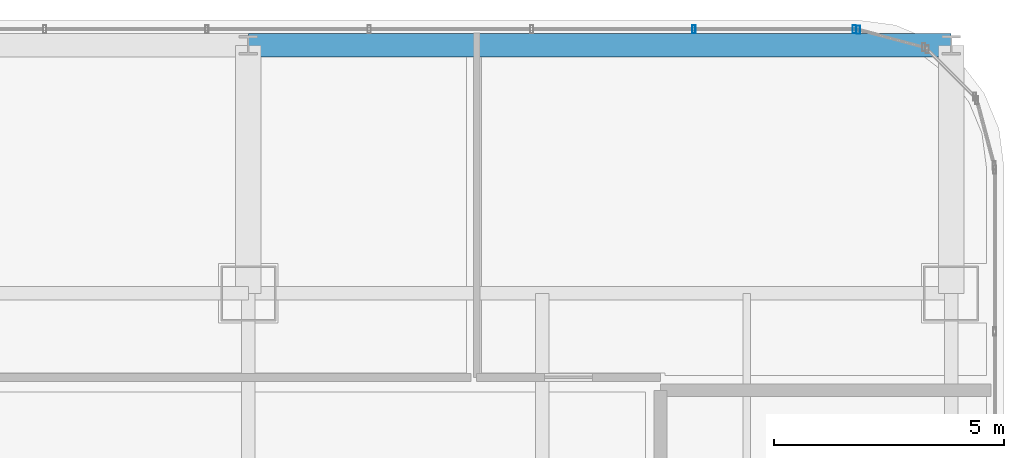
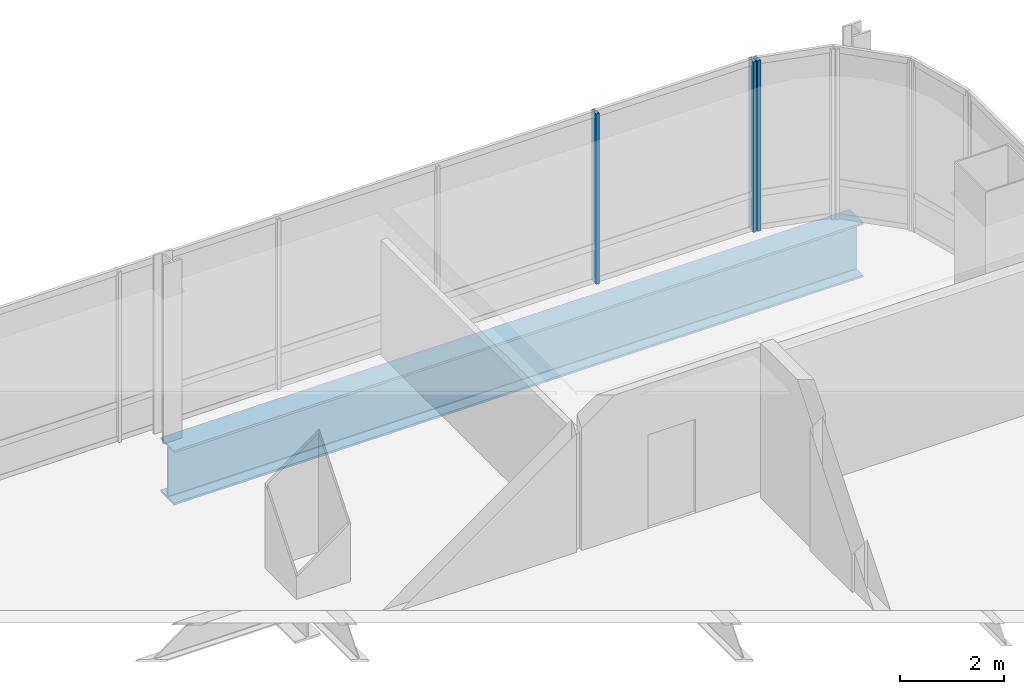
# One storey, part 30 of 41: 3 members, 1 beam, 2 elements without a shape of their own.
"""IFC4 building model written with IfcOpenShell, lengths in metres."""

from ifc_helpers import new_model, si_unit, direction, frame, origin, origin_2d, place, context, subcontext, project, spatial, hollow_rectangle, i_section, extrude, material, material_profile, profile_set, type_object, element, aggregate, save


model = new_model("IFC4")

# Units and contexts
model_context = context("Model", 3, precision=1e-05, world=origin(), true_north=direction((0.0, 1.0)))
body_context = subcontext(model_context, "Body", "Model", "MODEL_VIEW")
ifc_project = project(units=[si_unit("LENGTHUNIT", "METRE"), si_unit("AREAUNIT", "SQUARE_METRE"), si_unit("VOLUMEUNIT", "CUBIC_METRE"), si_unit("PLANEANGLEUNIT", "RADIAN"), si_unit("MASSUNIT", "GRAM", prefix="KILO")], contexts=[model_context])

# Site, building, storey
site_placement = place(None, origin())
site = spatial("IfcSite", under=ifc_project, at=site_placement, CompositionType="ELEMENT")
building_placement = place(site_placement, origin())
building = spatial("IfcBuilding", under=site, at=building_placement, Name="Punatoya Terracotta Tower", CompositionType="ELEMENT")
storey_placement = place(building_placement, frame((0.0, 0.0, 292.199951171875)))
storey = spatial("IfcBuildingStorey", under=building, at=storey_placement, Name="L69", CompositionType="ELEMENT", Elevation=292.199951171875)

# Beam
ifc_material_1 = material(Name="Steel S460", Category="steel")
ifc_material_profile_1 = material_profile(ifc_material_1, i_section(OverallWidth=0.52001953125, OverallDepth=1.280029296875, WebThickness=0.031982421875, FlangeThickness=0.050048828125, FilletRadius=0.01806640625, at=origin_2d()))
ifc_profile_set_1 = profile_set([ifc_material_profile_1], Name="Steel S460")
beam_type = type_object("IfcBeamType", Name="BM-TG-NCK", PredefinedType="BEAM", material=ifc_profile_set_1)
beam_placement = place(storey_placement, frame((3.800048828125, 22.89990234375, -0.83984375), z_axis=(1.0, 0.0, 0.0), x_axis=(0.0, 1.0, 0.0)))
element("IfcBeam", 1, at=beam_placement, inside=storey, type_object=beam_type, Name="BM-L69-PER-N3", PredefinedType="BEAM", context=body_context, shape_type="SweptSolid", body=[
    extrude(i_section(OverallWidth=0.52001953125, OverallDepth=1.280029296875, WebThickness=0.031982421875, FlangeThickness=0.050048828125, FilletRadius=0.01806640625, at=origin_2d()), origin(), (0.0, 0.0, 1.0), 15.300048828125),
])

# Curtain wall, member
ifc_material_2 = material(Name="Aluminium 6063-T6 + Double Low-E Glass", Category="aluminium")
curtain_wall_type = type_object("IfcCurtainWallType", Name="CW-M3", PredefinedType="NOTDEFINED", material=ifc_material_2)
curtain_wall_1_placement = place(storey_placement, origin())
curtain_wall_1 = element("IfcCurtainWall", 2, at=curtain_wall_1_placement, inside=storey, type_object=curtain_wall_type, Name="L69 Curtain Wall CW-L69-CRN08", PredefinedType="NOTDEFINED")
ifc_material_3 = material(Name="Aluminium 6063-T6", Category="aluminium")
ifc_material_profile_2 = material_profile(ifc_material_3, hollow_rectangle(XDim=0.070068359375, YDim=0.179931640625, WallThickness=0.00390625, at=origin_2d()))
ifc_profile_set_2 = profile_set([ifc_material_profile_2], Name="Aluminium 6063-T6")
member_type = type_object("IfcMemberType", Name="CW-MUL-M3", PredefinedType="MULLION", material=ifc_profile_set_2)
member_1_placement = place(storey_placement, frame((17.080322265625, 23.23828125, 0.0), z_axis=(0.0, 0.0, 1.0), x_axis=(1.0, 0.0, 0.0)))
member_1 = element("IfcMember", 3, at=member_1_placement, type_object=member_type, Name="CW-L69-CRN08 Mullion 01", PredefinedType="MULLION", context=body_context, shape_type="SweptSolid", body=[
    extrude(hollow_rectangle(XDim=0.070068359375, YDim=0.179931640625, WallThickness=0.00390625, at=origin_2d()), origin(), (0.0, 0.0, 1.0), 4.0),
])
aggregate(curtain_wall_1, [member_1])

# Curtain wall, members
curtain_wall_2_placement = place(storey_placement, origin())
curtain_wall_2 = element("IfcCurtainWall", 4, at=curtain_wall_2_placement, inside=storey, type_object=curtain_wall_type, Name="L69 Curtain Wall CW-L69-N09-1", PredefinedType="NOTDEFINED")
member_2_placement = place(storey_placement, frame((16.991943359375, 23.25, 0.0), z_axis=(0.0, 0.0, 1.0), x_axis=(1.0, 0.0, 0.0)))
member_2 = element("IfcMember", 5, at=member_2_placement, type_object=member_type, Name="CW-L69-N09-1 Mullion 00", PredefinedType="MULLION", context=body_context, shape_type="SweptSolid", body=[
    extrude(hollow_rectangle(XDim=0.070068359375, YDim=0.179931640625, WallThickness=0.00390625, at=origin_2d()), origin(), (0.0, 0.0, 1.0), 4.0),
])
member_3_placement = place(storey_placement, frame((13.5029296875, 23.25, 0.0), z_axis=(0.0, 0.0, 1.0), x_axis=(1.0, 0.0, 0.0)))
member_3 = element("IfcMember", 6, at=member_3_placement, type_object=member_type, Name="CW-L69-N09-1 Mullion 01", PredefinedType="MULLION", context=body_context, shape_type="SweptSolid", body=[
    extrude(hollow_rectangle(XDim=0.070068359375, YDim=0.179931640625, WallThickness=0.00390625, at=origin_2d()), origin(), (0.0, 0.0, 1.0), 4.0),
])
aggregate(curtain_wall_2, [member_2, member_3])

save(model, "model.ifc")
